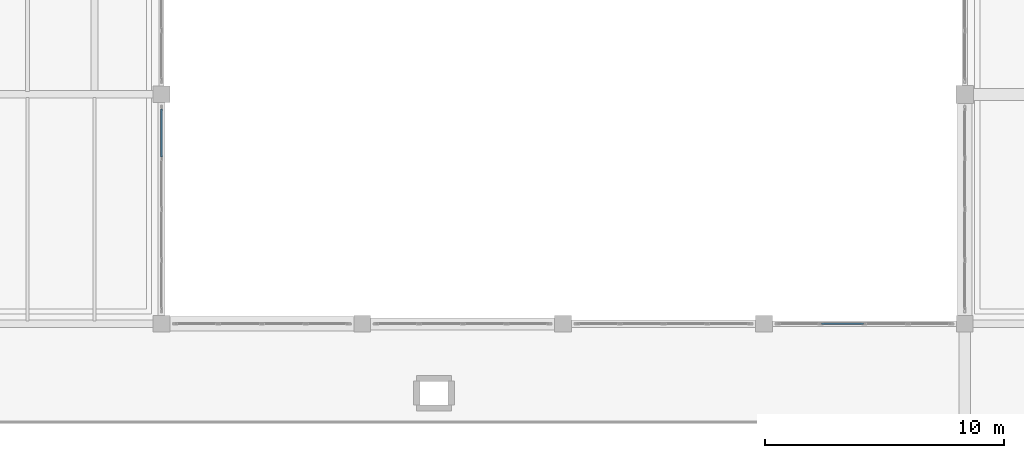
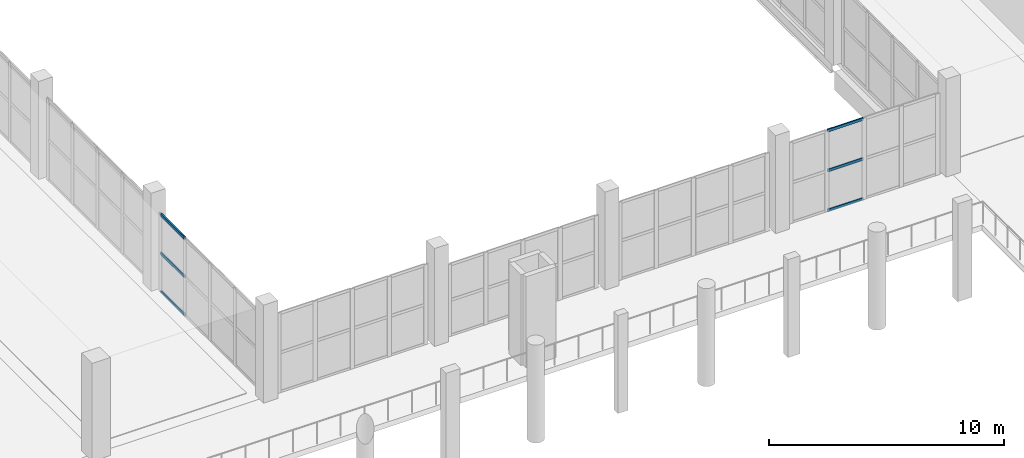
# One storey, part 12 of 66: 6 members, 2 elements without a shape of their own.
"""IFC4 building model written with IfcOpenShell, lengths in metres."""

from ifc_helpers import new_model, si_unit, direction, frame, origin, origin_2d, place, context, subcontext, project, spatial, hollow_rectangle, extrude, material, layer, layer_set, material_profile, profile_set, type_object, element, aggregate, save


model = new_model("IFC4")

# Units and contexts
model_context = context("Model", 3, precision=1e-05, world=origin(), true_north=direction((0.0, 1.0)))
body_context = subcontext(model_context, "Body", "Model", "MODEL_VIEW")
ifc_project = project(units=[si_unit("LENGTHUNIT", "METRE"), si_unit("AREAUNIT", "SQUARE_METRE"), si_unit("VOLUMEUNIT", "CUBIC_METRE"), si_unit("PLANEANGLEUNIT", "RADIAN"), si_unit("MASSUNIT", "GRAM", prefix="KILO")], contexts=[model_context])

# Site, building, storey
site_placement = place(None, origin())
site = spatial("IfcSite", under=ifc_project, at=site_placement, CompositionType="ELEMENT")
building_placement = place(site_placement, origin())
building = spatial("IfcBuilding", under=site, at=building_placement, Name="Zulmaris Art Gallery", CompositionType="ELEMENT")
storey_placement = place(building_placement, frame((0.0, 0.0, 5.39990234375)))
storey = spatial("IfcBuildingStorey", under=building, at=storey_placement, Name="L01", CompositionType="ELEMENT", Elevation=5.39990234375)

# Curtain wall, members
ifc_material_1 = material(Name="Cloister & Court Glazed Curtain Wall", Category="aluminium")
ifc_layer = layer(ifc_material_1, 0.179931640625)
ifc_layer_set = layer_set([ifc_layer], Name="Cloister & Court Glazed Curtain Wall")
curtain_wall_type = type_object("IfcCurtainWallType", Name="CW-CW03", PredefinedType="NOTDEFINED", material=ifc_layer_set)
curtain_wall_1_placement = place(storey_placement, origin())
curtain_wall_1 = element("IfcCurtainWall", 1, at=curtain_wall_1_placement, inside=storey, type_object=curtain_wall_type, Name="L01 curtain wall 192", PredefinedType="NOTDEFINED")
ifc_material_2 = material(Name="Anodised Bronze Aluminium", Category="aluminium")
ifc_material_profile_1 = material_profile(ifc_material_2, hollow_rectangle(XDim=0.06494140625, YDim=0.14990234375, WallThickness=0.00390625, InnerFilletRadius=0.006103515625, OuterFilletRadius=0.010009765625, at=origin_2d()), Name="ALU 65x150x4")
ifc_profile_set_1 = profile_set([ifc_material_profile_1], Name="Anodised Bronze Aluminium")
member_type_1 = type_object("IfcMemberType", Name="CWTRN-01", PredefinedType="USERDEFINED", material=ifc_profile_set_1)
member_1_placement = place(storey_placement, frame((118.8076171875, 21.60009765625, 0.03759765625), z_axis=(1.0, 0.0, 0.0), x_axis=(0.0, 1.0, 0.0)))
member_1 = element("IfcMember", 2, at=member_1_placement, type_object=member_type_1, Name="CW03 transom 2.1", ObjectType="TRANSOM", PredefinedType="USERDEFINED", context=body_context, shape_type="SweptSolid", body=[
    extrude(hollow_rectangle(XDim=0.06494140625, YDim=0.14990234375, WallThickness=0.00390625, InnerFilletRadius=0.006103515625, OuterFilletRadius=0.010009765625, at=origin_2d()), origin(), (0.0, 0.0, 1.0), 1.7548828125),
])
member_2_placement = place(storey_placement, frame((118.8076171875, 21.60009765625, 2.114990234375), z_axis=(1.0, 0.0, 0.0), x_axis=(0.0, 1.0, 0.0)))
member_2 = element("IfcMember", 3, at=member_2_placement, type_object=member_type_1, Name="CW03 transom 2.2", ObjectType="TRANSOM", PredefinedType="USERDEFINED", context=body_context, shape_type="SweptSolid", body=[
    extrude(hollow_rectangle(XDim=0.06494140625, YDim=0.14990234375, WallThickness=0.00390625, InnerFilletRadius=0.006103515625, OuterFilletRadius=0.010009765625, at=origin_2d()), origin(), (0.0, 0.0, 1.0), 1.7548828125),
])
member_3_placement = place(storey_placement, frame((118.8076171875, 21.60009765625, 4.192626953125), z_axis=(1.0, 0.0, 0.0), x_axis=(0.0, 1.0, 0.0)))
member_3 = element("IfcMember", 4, at=member_3_placement, type_object=member_type_1, Name="CW03 transom 2.3", ObjectType="TRANSOM", PredefinedType="USERDEFINED", context=body_context, shape_type="SweptSolid", body=[
    extrude(hollow_rectangle(XDim=0.06494140625, YDim=0.14990234375, WallThickness=0.00390625, InnerFilletRadius=0.006103515625, OuterFilletRadius=0.010009765625, at=origin_2d()), origin(), (0.0, 0.0, 1.0), 1.7548828125),
])
aggregate(curtain_wall_1, [member_1, member_2, member_3])

curtain_wall_2_placement = place(storey_placement, origin())
curtain_wall_2 = element("IfcCurtainWall", 5, at=curtain_wall_2_placement, inside=storey, type_object=curtain_wall_type, Name="L01 curtain wall 71", PredefinedType="NOTDEFINED")
ifc_material_profile_2 = material_profile(ifc_material_2, hollow_rectangle(XDim=0.074951171875, YDim=0.159912109375, WallThickness=0.00390625, InnerFilletRadius=0.006103515625, OuterFilletRadius=0.010009765625, at=origin_2d()), Name="ALU 75x160x4")
ifc_profile_set_2 = profile_set([ifc_material_profile_2], Name="Anodised Bronze Aluminium")
member_type_2 = type_object("IfcMemberType", Name="CWTRN-02", PredefinedType="USERDEFINED", material=ifc_profile_set_2)
member_4_placement = place(storey_placement, frame((91.199951171875, 30.5849609375, 0.03759765625), z_axis=(0.0, -1.0, 0.0), x_axis=(1.0, 0.0, 0.0)))
member_4 = element("IfcMember", 6, at=member_4_placement, type_object=member_type_2, Name="CW03 transom 1.1", ObjectType="TRANSOM", PredefinedType="USERDEFINED", context=body_context, shape_type="SweptSolid", body=[
    extrude(hollow_rectangle(XDim=0.074951171875, YDim=0.159912109375, WallThickness=0.00390625, InnerFilletRadius=0.006103515625, OuterFilletRadius=0.010009765625, at=origin_2d()), origin(), (0.0, 0.0, 1.0), 2.017578125),
])
member_5_placement = place(storey_placement, frame((91.199951171875, 30.5849609375, 2.03515625), z_axis=(0.0, -1.0, 0.0), x_axis=(1.0, 0.0, 0.0)))
member_5 = element("IfcMember", 7, at=member_5_placement, type_object=member_type_2, Name="CW03 transom 1.2", ObjectType="TRANSOM", PredefinedType="USERDEFINED", context=body_context, shape_type="SweptSolid", body=[
    extrude(hollow_rectangle(XDim=0.074951171875, YDim=0.159912109375, WallThickness=0.00390625, InnerFilletRadius=0.006103515625, OuterFilletRadius=0.010009765625, at=origin_2d()), origin(), (0.0, 0.0, 1.0), 2.017578125),
])
member_6_placement = place(storey_placement, frame((91.199951171875, 30.5849609375, 4.03271484375), z_axis=(0.0, -1.0, 0.0), x_axis=(1.0, 0.0, 0.0)))
member_6 = element("IfcMember", 8, at=member_6_placement, type_object=member_type_2, Name="CW03 transom 1.3", ObjectType="TRANSOM", PredefinedType="USERDEFINED", context=body_context, shape_type="SweptSolid", body=[
    extrude(hollow_rectangle(XDim=0.074951171875, YDim=0.159912109375, WallThickness=0.00390625, InnerFilletRadius=0.006103515625, OuterFilletRadius=0.010009765625, at=origin_2d()), origin(), (0.0, 0.0, 1.0), 2.017578125),
])
aggregate(curtain_wall_2, [member_4, member_5, member_6])

save(model, "model.ifc")
